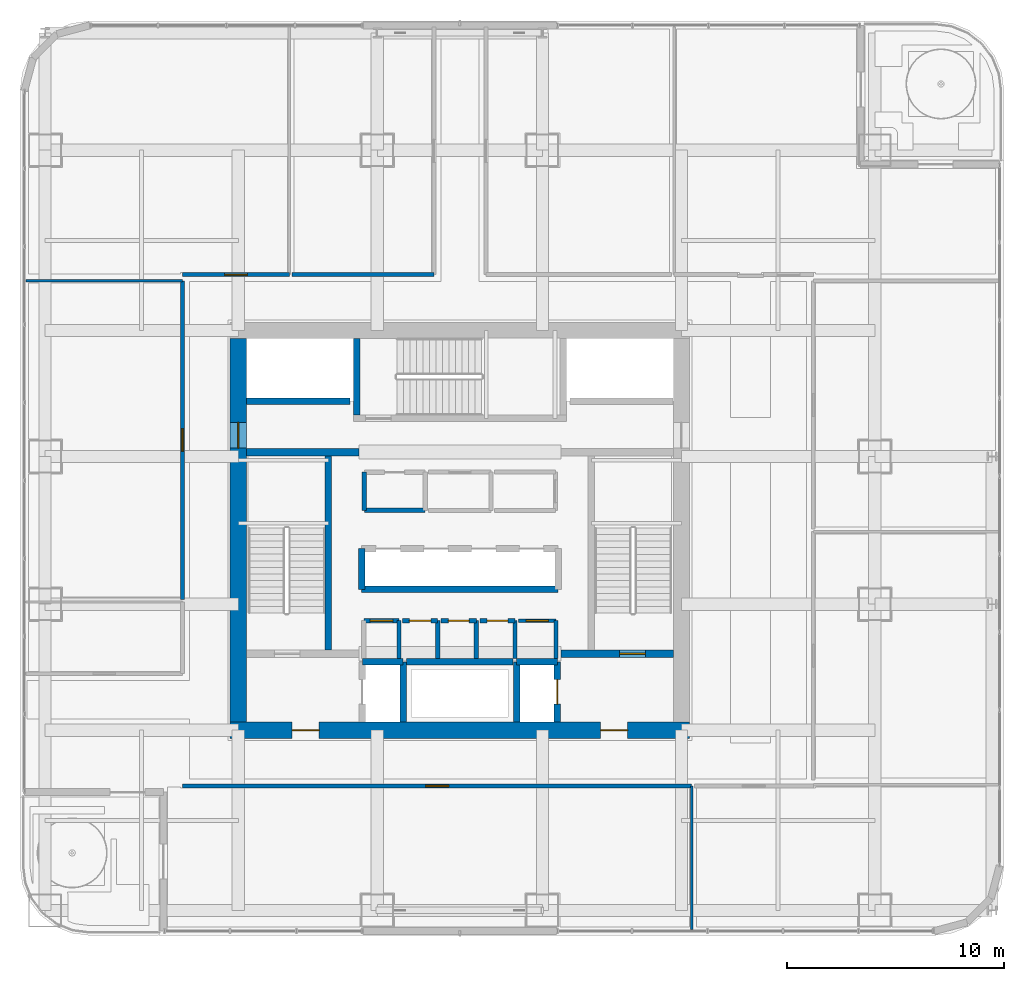
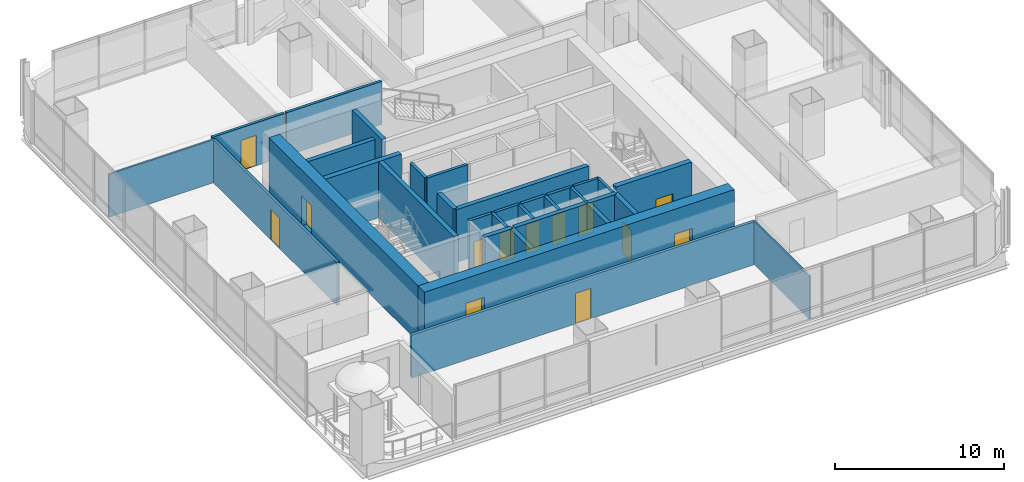
# One storey, part 26 of 37: 33 walls, 13 doors, 13 openings.
"""IFC4 building model written with IfcOpenShell, lengths in metres."""

from ifc_helpers import new_model, si_unit, direction, frame, frame_2d, origin, place, context, subcontext, project, spatial, rectangle, extrude, material, layer, layer_set, type_object, element, fill, save


model = new_model("IFC4")

# Units and contexts
model_context = context("Model", 3, precision=1e-05, world=origin(), true_north=direction((0.0, 1.0)))
body_context = subcontext(model_context, "Body", "Model", "MODEL_VIEW")
ifc_project = project(units=[si_unit("LENGTHUNIT", "METRE"), si_unit("AREAUNIT", "SQUARE_METRE"), si_unit("VOLUMEUNIT", "CUBIC_METRE"), si_unit("PLANEANGLEUNIT", "RADIAN"), si_unit("MASSUNIT", "GRAM", prefix="KILO")], contexts=[model_context])

# Site, building, storey
site_placement = place(None, origin())
site = spatial("IfcSite", under=ifc_project, at=site_placement, CompositionType="ELEMENT")
building_placement = place(site_placement, origin())
building = spatial("IfcBuilding", under=site, at=building_placement, Name="Punatoya Terracotta Tower", CompositionType="ELEMENT")
storey_placement = place(building_placement, frame((0.0, 0.0, 109.199951171875)))
storey = spatial("IfcBuildingStorey", under=building, at=storey_placement, Name="L25", CompositionType="ELEMENT", Elevation=109.199951171875)

# Wall, openings, doors
ifc_material_1 = material(Name="Concrete C60/75", Category="concrete")
ifc_layer_1 = layer(ifc_material_1, 0.75)
ifc_layer_set_1 = layer_set([ifc_layer_1], Name="Concrete C60/75")
wall_type_1 = type_object("IfcWallType", Name="WL-COR-750", PredefinedType="SHEAR", material=ifc_layer_set_1)
wall_1_placement = place(storey_placement, frame((10.574951171875, -9.199951171875, 0.0), z_axis=(0.0, 0.0, 1.0), x_axis=(-1.0, 0.0, 0.0)))
wall_1 = element("IfcWall", 1, at=wall_1_placement, inside=storey, type_object=wall_type_1, Name="L25 Core Shear Wall S", PredefinedType="SHEAR", context=body_context, shape_type="SweptSolid", body=[
    extrude(rectangle(XDim=21.14990234375, YDim=0.75, at=frame_2d((10.574951171875, 0.0))), origin(), (0.0, 0.0, 1.0), 4.050048828125),
])
opening_1_placement = place(wall_1_placement, frame((2.85009765625, 0.0, 0.0)))
opening_1 = element("IfcOpeningElement", 2, at=opening_1_placement, cuts=wall_1, Name="Opening FD-L1", PredefinedType="OPENING", context=body_context, shape_type="SweptSolid", body=[
    extrude(rectangle(XDim=1.25, YDim=2.25, at=frame_2d((0.625, 1.125))), frame((0.0, 0.385009765625, 0.0), z_axis=(0.0, -1.0, 0.0), x_axis=(1.0, 0.0, 0.0)), (0.0, 0.0, 1.0), 0.77001953125),
])
opening_2_placement = place(wall_1_placement, frame((17.050048828125, 0.0, 0.0)))
opening_2 = element("IfcOpeningElement", 3, at=opening_2_placement, cuts=wall_1, Name="Opening FD-L1", PredefinedType="OPENING", context=body_context, shape_type="SweptSolid", body=[
    extrude(rectangle(XDim=1.25, YDim=2.25, at=frame_2d((0.625, 1.125))), frame((0.0, 0.385009765625, 0.0), z_axis=(0.0, -1.0, 0.0), x_axis=(1.0, 0.0, 0.0)), (0.0, 0.0, 1.0), 0.77001953125),
])
ifc_material_2 = material(Name="Galvanised Steel Smokeproof Fire Door", Category="steel")
door_type_1 = type_object("IfcDoorType", Name="DR-FFL-1250", OperationType="NOTDEFINED", PredefinedType="DOOR", material=ifc_material_2)
door_1_placement = place(opening_1_placement, origin())
door_1 = element("IfcDoor", 4, at=door_1_placement, inside=storey, type_object=door_type_1, Name="L25 East Firefighting Lobby Corridor Fire Door", OperationType="SINGLE_SWING_LEFT", OverallHeight=2.25, OverallWidth=1.25, PredefinedType="DOOR", context=body_context, shape_type="SweptSolid", body=[
    extrude(rectangle(XDim=1.25, YDim=2.25, at=frame_2d((0.625, 1.125))), frame((0.0, 0.02490234375, 0.0), z_axis=(0.0, -1.0, 0.0), x_axis=(1.0, 0.0, 0.0)), (0.0, 0.0, 1.0), 0.050048828125),
])
fill(opening_1, door_1)
door_2_placement = place(opening_2_placement, origin())
door_2 = element("IfcDoor", 5, at=door_2_placement, inside=storey, type_object=door_type_1, Name="L25 West Firefighting Lobby Corridor Fire Door", OperationType="SINGLE_SWING_RIGHT", OverallHeight=2.25, OverallWidth=1.25, PredefinedType="DOOR", context=body_context, shape_type="SweptSolid", body=[
    extrude(rectangle(XDim=1.25, YDim=2.25, at=frame_2d((0.625, 1.125))), frame((0.0, 0.02490234375, 0.0), z_axis=(0.0, -1.0, 0.0), x_axis=(1.0, 0.0, 0.0)), (0.0, 0.0, 1.0), 0.050048828125),
])
fill(opening_2, door_2)

# Wall, opening, door
wall_2_placement = place(storey_placement, frame((-10.199951171875, -8.824951171875, 0.0), z_axis=(0.0, 0.0, 1.0), x_axis=(0.0, 1.0, 0.0)))
wall_2 = element("IfcWall", 6, at=wall_2_placement, inside=storey, type_object=wall_type_1, Name="L25 Core Shear Wall W", PredefinedType="SHEAR", context=body_context, shape_type="SweptSolid", body=[
    extrude(rectangle(XDim=17.64990234375, YDim=0.75, at=frame_2d((8.824951171875, 0.0))), origin(), (0.0, 0.0, 1.0), 4.050048828125),
])
opening_3_placement = place(wall_2_placement, frame((12.614990234375, 0.0, 0.0)))
opening_3 = element("IfcOpeningElement", 7, at=opening_3_placement, cuts=wall_2, Name="Opening SD-01", PredefinedType="OPENING", context=body_context, shape_type="SweptSolid", body=[
    extrude(rectangle(XDim=1.179931640625, YDim=2.199951171875, at=frame_2d((0.58984375, 1.10009765625))), frame((0.0, 0.385009765625, 0.0), z_axis=(0.0, -1.0, 0.0), x_axis=(1.0, 0.0, 0.0)), (0.0, 0.0, 1.0), 0.77001953125),
])
ifc_material_3 = material(Name="Galvanised Steel Pressurized Stair Fire Door", Category="steel")
door_type_2 = type_object("IfcDoorType", Name="DR-STR-1180", OperationType="NOTDEFINED", PredefinedType="DOOR", material=ifc_material_3)
door_3_placement = place(opening_3_placement, origin())
door_3 = element("IfcDoor", 8, at=door_3_placement, inside=storey, type_object=door_type_2, Name="L25 Central Lift Lobby West Fire Door", OperationType="SINGLE_SWING_LEFT", OverallHeight=2.199951171875, OverallWidth=1.179931640625, PredefinedType="DOOR", context=body_context, shape_type="SweptSolid", body=[
    extrude(rectangle(XDim=1.179931640625, YDim=2.199951171875, at=frame_2d((0.58984375, 1.10009765625))), frame((0.0, 0.02490234375, 0.0), z_axis=(0.0, -1.0, 0.0), x_axis=(1.0, 0.0, 0.0)), (0.0, 0.0, 1.0), 0.050048828125),
])
fill(opening_3, door_3)

# Wall
ifc_material_4 = material(Name="Gypsum Fireboard + Steel Stud", Category="steel")
ifc_layer_2 = layer(ifc_material_4, 0.179931640625)
ifc_layer_set_2 = layer_set([ifc_layer_2], Name="Gypsum Fireboard + Steel Stud")
wall_type_2 = type_object("IfcWallType", Name="WL-CORR-180", PredefinedType="PARTITIONING", material=ifc_layer_set_2)
wall_3_placement = place(storey_placement, frame((4.419921875, -5.89990234375, 0.0), z_axis=(0.0, 0.0, 1.0), x_axis=(0.0, 1.0, 0.0)))
element("IfcWall", 9, at=wall_3_placement, inside=storey, type_object=wall_type_2, Name="L25 Core Focus Booth Partition 10", PredefinedType="PARTITIONING", context=body_context, shape_type="SweptSolid", body=[
    extrude(rectangle(XDim=1.739990234375, YDim=0.179931640625, at=frame_2d((0.8701171875, 0.0))), origin(), (0.0, 0.0, 1.0), 3.81005859375),
])

# Wall, opening, door
wall_4_placement = place(storey_placement, frame((4.419921875, -4.159912109375, 0.0), z_axis=(0.0, 0.0, 1.0), x_axis=(-1.0, 0.0, 0.0)))
wall_4 = element("IfcWall", 10, at=wall_4_placement, inside=storey, type_object=wall_type_2, Name="L25 Core Focus Booth Partition 11", PredefinedType="PARTITIONING", context=body_context, shape_type="SweptSolid", body=[
    extrude(rectangle(XDim=1.719970703125, YDim=0.179931640625, at=frame_2d((0.85986328125, 0.0))), origin(), (0.0, 0.0, 1.0), 3.81005859375),
])
opening_4_placement = place(wall_4_placement, frame((0.35009765625, 0.0, 0.0)))
opening_4 = element("IfcOpeningElement", 11, at=opening_4_placement, cuts=wall_4, Name="Opening MD-01", PredefinedType="OPENING", context=body_context, shape_type="SweptSolid", body=[
    extrude(rectangle(XDim=1.02001953125, YDim=2.199951171875, at=frame_2d((0.510009765625, 1.10009765625))), frame((0.0, 0.099853515625, 0.0), z_axis=(0.0, -1.0, 0.0), x_axis=(1.0, 0.0, 0.0)), (0.0, 0.0, 1.0), 0.199951171875),
])
ifc_material_5 = material(Name="Aluminium + Acoustic Glass Leaf", Category="aluminium")
door_type_3 = type_object("IfcDoorType", Name="DR-MTG-1020", OperationType="NOTDEFINED", PredefinedType="DOOR", material=ifc_material_5)
door_4_placement = place(opening_4_placement, origin())
door_4 = element("IfcDoor", 12, at=door_4_placement, inside=storey, type_object=door_type_3, Name="L25 Focus Booth Door", OperationType="SINGLE_SWING_RIGHT", OverallHeight=2.199951171875, OverallWidth=1.02001953125, PredefinedType="DOOR", context=body_context, shape_type="SweptSolid", body=[
    extrude(rectangle(XDim=1.02001953125, YDim=2.199951171875, at=frame_2d((0.510009765625, 1.10009765625))), frame((0.0, 0.02490234375, 0.0), z_axis=(0.0, -1.0, 0.0), x_axis=(1.0, 0.0, 0.0)), (0.0, 0.0, 1.0), 0.050048828125),
])
fill(opening_4, door_4)

wall_5_placement = place(storey_placement, frame((-12.77001953125, -11.77001953125, 0.0), z_axis=(0.0, 0.0, 1.0), x_axis=(1.0, 0.0, 0.0)))
wall_5 = element("IfcWall", 13, at=wall_5_placement, inside=storey, type_object=wall_type_2, Name="L25 Open Workplace Studio Partition 22", PredefinedType="PARTITIONING", context=body_context, shape_type="SweptSolid", body=[
    extrude(rectangle(XDim=23.444091796875, YDim=0.179931640625, at=frame_2d((11.72216796875, 0.0))), origin(), (0.0, 0.0, 1.0), 3.10400390625),
])
opening_5_placement = place(wall_5_placement, frame((11.197021484375, 0.0, 0.0)))
opening_5 = element("IfcOpeningElement", 14, at=opening_5_placement, cuts=wall_5, Name="Opening OD-01", PredefinedType="OPENING", context=body_context, shape_type="SweptSolid", body=[
    extrude(rectangle(XDim=1.050048828125, YDim=2.199951171875, at=frame_2d((0.52490234375, 1.10009765625))), frame((0.0, 0.099853515625, 0.0), z_axis=(0.0, -1.0, 0.0), x_axis=(1.0, 0.0, 0.0)), (0.0, 0.0, 1.0), 0.199951171875),
])
ifc_material_6 = material(Name="Bengal Teak Solid-Core Leaf")
door_type_4 = type_object("IfcDoorType", Name="DR-OFF-1050", OperationType="NOTDEFINED", PredefinedType="DOOR", material=ifc_material_6)
door_5_placement = place(opening_5_placement, origin())
door_5 = element("IfcDoor", 15, at=door_5_placement, inside=storey, type_object=door_type_4, Name="L25 Open Workplace Studio Door", OperationType="SINGLE_SWING_RIGHT", OverallHeight=2.199951171875, OverallWidth=1.050048828125, PredefinedType="DOOR", context=body_context, shape_type="SweptSolid", body=[
    extrude(rectangle(XDim=1.050048828125, YDim=2.199951171875, at=frame_2d((0.52490234375, 1.10009765625))), frame((0.0, 0.02490234375, 0.0), z_axis=(0.0, -1.0, 0.0), x_axis=(1.0, 0.0, 0.0)), (0.0, 0.0, 1.0), 0.050048828125),
])
fill(opening_5, door_5)

wall_6_placement = place(storey_placement, frame((-12.77001953125, 11.489990234375, 0.0), z_axis=(0.0, 0.0, 1.0), x_axis=(0.0, -1.0, 0.0)))
wall_6 = element("IfcWall", 16, at=wall_6_placement, inside=storey, type_object=wall_type_2, Name="L25 Open-Plan Digital Reference Library Partition 32", PredefinedType="PARTITIONING", context=body_context, shape_type="SweptSolid", body=[
    extrude(rectangle(XDim=14.6640625, YDim=0.179931640625, at=frame_2d((7.33203125, 0.0))), origin(), (0.0, 0.0, 1.0), 3.10400390625),
])
opening_6_placement = place(wall_6_placement, frame((6.806884765625, 0.0, 0.0)))
opening_6 = element("IfcOpeningElement", 17, at=opening_6_placement, cuts=wall_6, Name="Opening OD-01", PredefinedType="OPENING", context=body_context, shape_type="SweptSolid", body=[
    extrude(rectangle(XDim=1.050048828125, YDim=2.199951171875, at=frame_2d((0.52490234375, 1.10009765625))), frame((0.0, 0.099853515625, 0.0), z_axis=(0.0, -1.0, 0.0), x_axis=(1.0, 0.0, 0.0)), (0.0, 0.0, 1.0), 0.199951171875),
])
door_6_placement = place(opening_6_placement, origin())
door_6 = element("IfcDoor", 18, at=door_6_placement, inside=storey, type_object=door_type_4, Name="L25 Open-Plan Digital Reference Library Door", OperationType="SINGLE_SWING_RIGHT", OverallHeight=2.199951171875, OverallWidth=1.050048828125, PredefinedType="DOOR", context=body_context, shape_type="SweptSolid", body=[
    extrude(rectangle(XDim=1.050048828125, YDim=2.199951171875, at=frame_2d((0.52490234375, 1.10009765625))), frame((0.0, 0.02490234375, 0.0), z_axis=(0.0, -1.0, 0.0), x_axis=(1.0, 0.0, 0.0)), (0.0, 0.0, 1.0), 0.050048828125),
])
fill(opening_6, door_6)

wall_7_placement = place(storey_placement, frame((-7.845947265625, 11.77001953125, 0.0), z_axis=(0.0, 0.0, 1.0), x_axis=(-1.0, 0.0, 0.0)))
wall_7 = element("IfcWall", 19, at=wall_7_placement, inside=storey, type_object=wall_type_2, Name="L25 Open-Plan Systems Engineering Office Partition 40", PredefinedType="PARTITIONING", context=body_context, shape_type="SweptSolid", body=[
    extrude(rectangle(XDim=4.924072265625, YDim=0.179931640625, at=frame_2d((2.4619140625, 0.0))), origin(), (0.0, 0.0, 1.0), 3.10400390625),
])
opening_7_placement = place(wall_7_placement, frame((1.93701171875, 0.0, 0.0)))
opening_7 = element("IfcOpeningElement", 20, at=opening_7_placement, cuts=wall_7, Name="Opening OD-01", PredefinedType="OPENING", context=body_context, shape_type="SweptSolid", body=[
    extrude(rectangle(XDim=1.050048828125, YDim=2.199951171875, at=frame_2d((0.52490234375, 1.10009765625))), frame((0.0, 0.099853515625, 0.0), z_axis=(0.0, -1.0, 0.0), x_axis=(1.0, 0.0, 0.0)), (0.0, 0.0, 1.0), 0.199951171875),
])
door_7_placement = place(opening_7_placement, origin())
door_7 = element("IfcDoor", 21, at=door_7_placement, inside=storey, type_object=door_type_4, Name="L25 Open-Plan Systems Engineering Office Door", OperationType="SINGLE_SWING_LEFT", OverallHeight=2.199951171875, OverallWidth=1.050048828125, PredefinedType="DOOR", context=body_context, shape_type="SweptSolid", body=[
    extrude(rectangle(XDim=1.050048828125, YDim=2.199951171875, at=frame_2d((0.52490234375, 1.10009765625))), frame((0.0, 0.02490234375, 0.0), z_axis=(0.0, -1.0, 0.0), x_axis=(1.0, 0.0, 0.0)), (0.0, 0.0, 1.0), 0.050048828125),
])
fill(opening_7, door_7)

# Walls
wall_8_placement = place(storey_placement, frame((-1.199951171875, 11.77001953125, 0.0), z_axis=(0.0, 0.0, 1.0), x_axis=(-1.0, 0.0, 0.0)))
element("IfcWall", 22, at=wall_8_placement, inside=storey, type_object=wall_type_2, Name="L25 Open-Plan Quantitative Practice Office Partition 42", PredefinedType="PARTITIONING", context=body_context, shape_type="SweptSolid", body=[
    extrude(rectangle(XDim=6.526123046875, YDim=0.179931640625, at=frame_2d((3.26318359375, 0.0))), origin(), (0.0, 0.0, 1.0), 3.10400390625),
])
ifc_material_7 = material(Name="Concrete C40/50", Category="concrete")
ifc_layer_3 = layer(ifc_material_7, 0.199951171875)
ifc_layer_set_3 = layer_set([ifc_layer_3], Name="Concrete C40/50")
wall_type_3 = type_object("IfcWallType", Name="WL-INT-200", PredefinedType="SOLIDWALL", material=ifc_layer_set_3)
wall_9_placement = place(storey_placement, frame((-2.800048828125, -5.89990234375, 0.0), z_axis=(0.0, 0.0, 1.0), x_axis=(0.0, 1.0, 0.0)))
element("IfcWall", 23, at=wall_9_placement, inside=storey, type_object=wall_type_3, Name="L25 Core Tea Pantry Partition 01", PredefinedType="SOLIDWALL", context=body_context, shape_type="SweptSolid", body=[
    extrude(rectangle(XDim=1.739990234375, YDim=0.199951171875, at=frame_2d((0.8701171875, 0.0))), origin(), (0.0, 0.0, 1.0), 3.81005859375),
])

# Wall, opening, door
wall_10_placement = place(storey_placement, frame((-2.800048828125, -4.159912109375, 0.0), z_axis=(0.0, 0.0, 1.0), x_axis=(-1.0, 0.0, 0.0)))
wall_10 = element("IfcWall", 24, at=wall_10_placement, inside=storey, type_object=wall_type_3, Name="L25 Core Tea Pantry Partition 02", PredefinedType="SOLIDWALL", context=body_context, shape_type="SweptSolid", body=[
    extrude(rectangle(XDim=1.619873046875, YDim=0.199951171875, at=frame_2d((0.81005859375, 0.0))), origin(), (0.0, 0.0, 1.0), 3.81005859375),
])
opening_8_placement = place(wall_10_placement, frame((0.284912109375, 0.0, 0.0)))
opening_8 = element("IfcOpeningElement", 25, at=opening_8_placement, cuts=wall_10, Name="Opening OD-01", PredefinedType="OPENING", context=body_context, shape_type="SweptSolid", body=[
    extrude(rectangle(XDim=1.050048828125, YDim=2.199951171875, at=frame_2d((0.52490234375, 1.10009765625))), frame((0.0, 0.10986328125, 0.0), z_axis=(0.0, -1.0, 0.0), x_axis=(1.0, 0.0, 0.0)), (0.0, 0.0, 1.0), 0.219970703125),
])
door_8_placement = place(opening_8_placement, origin())
door_8 = element("IfcDoor", 26, at=door_8_placement, inside=storey, type_object=door_type_4, Name="L25 Tea Pantry Door", OperationType="SINGLE_SWING_RIGHT", OverallHeight=2.199951171875, OverallWidth=1.050048828125, PredefinedType="DOOR", context=body_context, shape_type="SweptSolid", body=[
    extrude(rectangle(XDim=1.050048828125, YDim=2.199951171875, at=frame_2d((0.52490234375, 1.10009765625))), frame((0.0, 0.02490234375, 0.0), z_axis=(0.0, -1.0, 0.0), x_axis=(1.0, 0.0, 0.0)), (0.0, 0.0, 1.0), 0.050048828125),
])
fill(opening_8, door_8)

# Wall
wall_11_placement = place(storey_placement, frame((-1.02001953125, -5.89990234375, 0.0), z_axis=(0.0, 0.0, 1.0), x_axis=(0.0, 1.0, 0.0)))
element("IfcWall", 27, at=wall_11_placement, inside=storey, type_object=wall_type_3, Name="L25 Accessible Washroom Partition 04", PredefinedType="SOLIDWALL", context=body_context, shape_type="SweptSolid", body=[
    extrude(rectangle(XDim=1.739990234375, YDim=0.199951171875, at=frame_2d((0.8701171875, 0.0))), origin(), (0.0, 0.0, 1.0), 3.81005859375),
])

# Wall, opening, door
wall_12_placement = place(storey_placement, frame((-1.02001953125, -4.159912109375, 0.0), z_axis=(0.0, 0.0, 1.0), x_axis=(-1.0, 0.0, 0.0)))
wall_12 = element("IfcWall", 28, at=wall_12_placement, inside=storey, type_object=wall_type_3, Name="L25 Accessible Washroom Partition 05", PredefinedType="SOLIDWALL", context=body_context, shape_type="SweptSolid", body=[
    extrude(rectangle(XDim=1.619873046875, YDim=0.199951171875, at=frame_2d((0.81005859375, 0.0))), origin(), (0.0, 0.0, 1.0), 3.81005859375),
])
opening_9_placement = place(wall_12_placement, frame((0.31005859375, 0.0, 0.0)))
opening_9 = element("IfcOpeningElement", 29, at=opening_9_placement, cuts=wall_12, Name="Opening AWD-1", PredefinedType="OPENING", context=body_context, shape_type="SweptSolid", body=[
    extrude(rectangle(XDim=1.0, YDim=2.14990234375, at=frame_2d((0.5, 1.074951171875))), frame((0.0, 0.10986328125, 0.0), z_axis=(0.0, -1.0, 0.0), x_axis=(1.0, 0.0, 0.0)), (0.0, 0.0, 1.0), 0.219970703125),
])
ifc_material_8 = material(Name="Bengal Teak Accessible WC Leaf")
door_type_5 = type_object("IfcDoorType", Name="DR-ACC-1000", OperationType="NOTDEFINED", PredefinedType="DOOR", material=ifc_material_8)
door_9_placement = place(opening_9_placement, origin())
door_9 = element("IfcDoor", 30, at=door_9_placement, inside=storey, type_object=door_type_5, Name="L25 Accessible Washroom Door", OperationType="SINGLE_SWING_LEFT", OverallHeight=2.14990234375, OverallWidth=1.0, PredefinedType="DOOR", context=body_context, shape_type="SweptSolid", body=[
    extrude(rectangle(XDim=1.0, YDim=2.14990234375, at=frame_2d((0.5, 1.074951171875))), frame((0.0, 0.02490234375, 0.0), z_axis=(0.0, -1.0, 0.0), x_axis=(1.0, 0.0, 0.0)), (0.0, 0.0, 1.0), 0.050048828125),
])
fill(opening_9, door_9)

# Wall
wall_13_placement = place(storey_placement, frame((0.760009765625, -5.89990234375, 0.0), z_axis=(0.0, 0.0, 1.0), x_axis=(0.0, 1.0, 0.0)))
element("IfcWall", 31, at=wall_13_placement, inside=storey, type_object=wall_type_3, Name="L25 Female Washroom Partition 06", PredefinedType="SOLIDWALL", context=body_context, shape_type="SweptSolid", body=[
    extrude(rectangle(XDim=1.739990234375, YDim=0.199951171875, at=frame_2d((0.8701171875, 0.0))), origin(), (0.0, 0.0, 1.0), 3.81005859375),
])

# Wall, opening, door
wall_14_placement = place(storey_placement, frame((0.760009765625, -4.159912109375, 0.0), z_axis=(0.0, 0.0, 1.0), x_axis=(-1.0, 0.0, 0.0)))
wall_14 = element("IfcWall", 32, at=wall_14_placement, inside=storey, type_object=wall_type_3, Name="L25 Female Washroom Partition 07", PredefinedType="SOLIDWALL", context=body_context, shape_type="SweptSolid", body=[
    extrude(rectangle(XDim=1.6201171875, YDim=0.199951171875, at=frame_2d((0.81005859375, 0.0))), origin(), (0.0, 0.0, 1.0), 3.81005859375),
])
opening_10_placement = place(wall_14_placement, frame((0.3349609375, 0.0, 0.0)))
opening_10 = element("IfcOpeningElement", 33, at=opening_10_placement, cuts=wall_14, Name="Opening WD-01", PredefinedType="OPENING", context=body_context, shape_type="SweptSolid", body=[
    extrude(rectangle(XDim=0.949951171875, YDim=2.14990234375, at=frame_2d((0.47509765625, 1.074951171875))), frame((0.0, 0.10986328125, 0.0), z_axis=(0.0, -1.0, 0.0), x_axis=(1.0, 0.0, 0.0)), (0.0, 0.0, 1.0), 0.219970703125),
])
ifc_material_9 = material(Name="Moisture-Resistant Laminate Timber Leaf", Category="wood")
door_type_6 = type_object("IfcDoorType", Name="DR-WC-950", OperationType="NOTDEFINED", PredefinedType="DOOR", material=ifc_material_9)
door_10_placement = place(opening_10_placement, origin())
door_10 = element("IfcDoor", 34, at=door_10_placement, inside=storey, type_object=door_type_6, Name="L25 Female Washroom Door", OperationType="SINGLE_SWING_RIGHT", OverallHeight=2.14990234375, OverallWidth=0.949951171875, PredefinedType="DOOR", context=body_context, shape_type="SweptSolid", body=[
    extrude(rectangle(XDim=0.949951171875, YDim=2.14990234375, at=frame_2d((0.47509765625, 1.074951171875))), frame((0.0, 0.02490234375, 0.0), z_axis=(0.0, -1.0, 0.0), x_axis=(1.0, 0.0, 0.0)), (0.0, 0.0, 1.0), 0.050048828125),
])
fill(opening_10, door_10)

# Wall
wall_15_placement = place(storey_placement, frame((2.5400390625, -5.89990234375, 0.0), z_axis=(0.0, 0.0, 1.0), x_axis=(0.0, 1.0, 0.0)))
element("IfcWall", 35, at=wall_15_placement, inside=storey, type_object=wall_type_3, Name="L25 Male Washroom Partition 08", PredefinedType="SOLIDWALL", context=body_context, shape_type="SweptSolid", body=[
    extrude(rectangle(XDim=1.739990234375, YDim=0.199951171875, at=frame_2d((0.8701171875, 0.0))), origin(), (0.0, 0.0, 1.0), 3.81005859375),
])

# Wall, opening, door
wall_16_placement = place(storey_placement, frame((2.5400390625, -4.159912109375, 0.0), z_axis=(0.0, 0.0, 1.0), x_axis=(-1.0, 0.0, 0.0)))
wall_16 = element("IfcWall", 36, at=wall_16_placement, inside=storey, type_object=wall_type_3, Name="L25 Male Washroom Partition 09", PredefinedType="SOLIDWALL", context=body_context, shape_type="SweptSolid", body=[
    extrude(rectangle(XDim=1.6201171875, YDim=0.199951171875, at=frame_2d((0.81005859375, 0.0))), origin(), (0.0, 0.0, 1.0), 3.81005859375),
])
opening_11_placement = place(wall_16_placement, frame((0.3349609375, 0.0, 0.0)))
opening_11 = element("IfcOpeningElement", 37, at=opening_11_placement, cuts=wall_16, Name="Opening WD-01", PredefinedType="OPENING", context=body_context, shape_type="SweptSolid", body=[
    extrude(rectangle(XDim=0.949951171875, YDim=2.14990234375, at=frame_2d((0.47509765625, 1.074951171875))), frame((0.0, 0.10986328125, 0.0), z_axis=(0.0, -1.0, 0.0), x_axis=(1.0, 0.0, 0.0)), (0.0, 0.0, 1.0), 0.219970703125),
])
door_11_placement = place(opening_11_placement, origin())
door_11 = element("IfcDoor", 38, at=door_11_placement, inside=storey, type_object=door_type_6, Name="L25 Male Washroom Door", OperationType="SINGLE_SWING_LEFT", OverallHeight=2.14990234375, OverallWidth=0.949951171875, PredefinedType="DOOR", context=body_context, shape_type="SweptSolid", body=[
    extrude(rectangle(XDim=0.949951171875, YDim=2.14990234375, at=frame_2d((0.47509765625, 1.074951171875))), frame((0.0, 0.02490234375, 0.0), z_axis=(0.0, -1.0, 0.0), x_axis=(1.0, 0.0, 0.0)), (0.0, 0.0, 1.0), 0.050048828125),
])
fill(opening_11, door_11)

# Walls
wall_17_placement = place(storey_placement, frame((-4.39990234375, 2.679931640625, 0.0), z_axis=(0.0, 0.0, 1.0), x_axis=(0.0, -1.0, 0.0)))
element("IfcWall", 39, at=wall_17_placement, inside=storey, type_object=wall_type_3, Name="L25 Left Core Store Partition 14", PredefinedType="SOLIDWALL", context=body_context, shape_type="SweptSolid", body=[
    extrude(rectangle(XDim=1.760009765625, YDim=0.199951171875, at=frame_2d((0.8798828125, 0.0))), origin(), (0.0, 0.0, 1.0), 3.81005859375),
])
wall_18_placement = place(storey_placement, frame((-4.39990234375, 0.919921875, 0.0), z_axis=(0.0, 0.0, 1.0), x_axis=(1.0, 0.0, 0.0)))
element("IfcWall", 40, at=wall_18_placement, inside=storey, type_object=wall_type_3, Name="L25 Left Core Store Partition 15", PredefinedType="SOLIDWALL", context=body_context, shape_type="SweptSolid", body=[
    extrude(rectangle(XDim=2.7998046875, YDim=0.199951171875, at=frame_2d((1.39990234375, 0.0))), origin(), (0.0, 0.0, 1.0), 3.81005859375),
])
ifc_material_10 = material(Name="Gypsum Partition + Steel Stud", Category="steel")
ifc_layer_4 = layer(ifc_material_10, 0.1201171875)
ifc_layer_set_4 = layer_set([ifc_layer_4], Name="Gypsum Partition + Steel Stud")
wall_type_4 = type_object("IfcWallType", Name="WL-OFF-120", PredefinedType="PARTITIONING", material=ifc_layer_set_4)
wall_19_placement = place(storey_placement, frame((10.674072265625, -11.77001953125, 0.0), z_axis=(0.0, 0.0, 1.0), x_axis=(0.0, -1.0, 0.0)))
element("IfcWall", 41, at=wall_19_placement, inside=storey, type_object=wall_type_4, Name="L25 Open Workplace Studio Partition 23", PredefinedType="PARTITIONING", context=body_context, shape_type="SweptSolid", body=[
    extrude(rectangle(XDim=6.60009765625, YDim=0.1201171875, at=frame_2d((3.300048828125, 0.0))), origin(), (0.0, 0.0, 1.0), 3.10400390625),
])
wall_20_placement = place(storey_placement, frame((-19.969970703125, 11.489990234375, 0.0), z_axis=(0.0, 0.0, 1.0), x_axis=(1.0, 0.0, 0.0)))
element("IfcWall", 42, at=wall_20_placement, inside=storey, type_object=wall_type_4, Name="L25 Open-Plan Digital Reference Library Partition 31", PredefinedType="PARTITIONING", context=body_context, shape_type="SweptSolid", body=[
    extrude(rectangle(XDim=7.199951171875, YDim=0.1201171875, at=frame_2d((3.60009765625, 0.0))), origin(), (0.0, 0.0, 1.0), 3.10400390625),
])
ifc_layer_5 = layer(ifc_material_7, 0.300048828125)
ifc_layer_set_5 = layer_set([ifc_layer_5], Name="Concrete C40/50")
wall_type_5 = type_object("IfcWallType", Name="WL-SHF-300", PredefinedType="SOLIDWALL", material=ifc_layer_set_5)
wall_21_placement = place(storey_placement, frame((-6.050048828125, -5.5, 0.0), z_axis=(0.0, 0.0, 1.0), x_axis=(0.0, 1.0, 0.0)))
element("IfcWall", 43, at=wall_21_placement, inside=storey, type_object=wall_type_5, Name="L25 Structural Stair Shaft Wall SW-ST1-E", PredefinedType="SOLIDWALL", context=body_context, shape_type="SweptSolid", body=[
    extrude(rectangle(XDim=8.949951171875, YDim=0.300048828125, at=frame_2d((4.47509765625, 0.0))), origin(), (0.0, 0.0, 1.0), 4.050048828125),
])
wall_22_placement = place(storey_placement, frame((-4.75, 5.300048828125, 0.0), z_axis=(0.0, 0.0, 1.0), x_axis=(0.0, 1.0, 0.0)))
element("IfcWall", 44, at=wall_22_placement, inside=storey, type_object=wall_type_5, Name="L25 Structural Stair Shaft Wall SW-ST3-W", PredefinedType="SOLIDWALL", context=body_context, shape_type="SweptSolid", body=[
    extrude(rectangle(XDim=3.52490234375, YDim=0.300048828125, at=frame_2d((1.762451171875, 0.0))), origin(), (0.0, 0.0, 1.0), 4.050048828125),
])
wall_23_placement = place(storey_placement, frame((-2.610107421875, -8.820068359375, 0.0), z_axis=(0.0, 0.0, 1.0), x_axis=(0.0, 1.0, 0.0)))
element("IfcWall", 45, at=wall_23_placement, inside=storey, type_object=wall_type_5, Name="L25 FFL-1 Rear Hoistway Wall", PredefinedType="SOLIDWALL", context=body_context, shape_type="SweptSolid", body=[
    extrude(rectangle(XDim=2.77001953125, YDim=0.300048828125, at=frame_2d((1.385009765625, 0.0))), origin(), (0.0, 0.0, 1.0), 3.81005859375),
])
wall_24_placement = place(storey_placement, frame((-4.489990234375, -6.050048828125, 0.0), z_axis=(0.0, 0.0, 1.0), x_axis=(1.0, 0.0, 0.0)))
element("IfcWall", 46, at=wall_24_placement, inside=storey, type_object=wall_type_5, Name="L25 FFL-1 North Hoistway Wall", PredefinedType="SOLIDWALL", context=body_context, shape_type="SweptSolid", body=[
    extrude(rectangle(XDim=1.8798828125, YDim=0.300048828125, at=frame_2d((0.93994140625, 0.0))), origin(), (0.0, 0.0, 1.0), 3.81005859375),
])

# Wall, opening, door
wall_25_placement = place(storey_placement, frame((4.489990234375, -8.820068359375, 0.0), z_axis=(0.0, 0.0, 1.0), x_axis=(0.0, 1.0, 0.0)))
wall_25 = element("IfcWall", 47, at=wall_25_placement, inside=storey, type_object=wall_type_5, Name="L25 FFL-2 Front Hoistway Wall", PredefinedType="SOLIDWALL", context=body_context, shape_type="SweptSolid", body=[
    extrude(rectangle(XDim=2.77001953125, YDim=0.300048828125, at=frame_2d((1.385009765625, 0.0))), origin(), (0.0, 0.0, 1.0), 3.81005859375),
])
opening_12_placement = place(wall_25_placement, frame((0.824951171875, 0.0, 0.0)))
opening_12 = element("IfcOpeningElement", 48, at=opening_12_placement, cuts=wall_25, Name="Opening LD-02", PredefinedType="OPENING", context=body_context, shape_type="SweptSolid", body=[
    extrude(rectangle(XDim=1.1201171875, YDim=2.25, at=frame_2d((0.56005859375, 1.125))), frame((0.0, 0.159912109375, 0.0), z_axis=(0.0, -1.0, 0.0), x_axis=(1.0, 0.0, 0.0)), (0.0, 0.0, 1.0), 0.320068359375),
])
ifc_material_11 = material(Name="Stainless Steel Lift Landing Door", Category="steel")
door_type_7 = type_object("IfcDoorType", Name="DR-LND-1120", OperationType="NOTDEFINED", PredefinedType="DOOR", material=ifc_material_11)
door_12_placement = place(opening_12_placement, origin())
door_12 = element("IfcDoor", 49, at=door_12_placement, inside=storey, type_object=door_type_7, Name="L25 Firefighting Lift FFL-2 Sliding Landing Door", OperationType="SLIDING_TO_RIGHT", OverallHeight=2.25, OverallWidth=1.1201171875, PredefinedType="DOOR", context=body_context, shape_type="SweptSolid", body=[
    extrude(rectangle(XDim=1.1201171875, YDim=2.25, at=frame_2d((0.56005859375, 1.125))), frame((0.0, 0.02490234375, 0.0), z_axis=(0.0, -1.0, 0.0), x_axis=(1.0, 0.0, 0.0)), (0.0, 0.0, 1.0), 0.050048828125),
])
fill(opening_12, door_12)

# Walls
wall_26_placement = place(storey_placement, frame((2.610107421875, -8.820068359375, 0.0), z_axis=(0.0, 0.0, 1.0), x_axis=(0.0, 1.0, 0.0)))
element("IfcWall", 50, at=wall_26_placement, inside=storey, type_object=wall_type_5, Name="L25 FFL-2 Rear Hoistway Wall", PredefinedType="SOLIDWALL", context=body_context, shape_type="SweptSolid", body=[
    extrude(rectangle(XDim=2.77001953125, YDim=0.300048828125, at=frame_2d((1.385009765625, 0.0))), origin(), (0.0, 0.0, 1.0), 3.81005859375),
])
wall_27_placement = place(storey_placement, frame((2.610107421875, -6.050048828125, 0.0), z_axis=(0.0, 0.0, 1.0), x_axis=(1.0, 0.0, 0.0)))
element("IfcWall", 51, at=wall_27_placement, inside=storey, type_object=wall_type_5, Name="L25 FFL-2 North Hoistway Wall", PredefinedType="SOLIDWALL", context=body_context, shape_type="SweptSolid", body=[
    extrude(rectangle(XDim=1.8798828125, YDim=0.300048828125, at=frame_2d((0.93994140625, 0.0))), origin(), (0.0, 0.0, 1.0), 3.81005859375),
])
wall_28_placement = place(storey_placement, frame((-4.52001953125, -2.719970703125, 0.0), z_axis=(0.0, 0.0, 1.0), x_axis=(1.0, 0.0, 0.0)))
element("IfcWall", 52, at=wall_28_placement, inside=storey, type_object=wall_type_5, Name="L25 South Lift Bank Rear Shaft Wall", PredefinedType="SOLIDWALL", context=body_context, shape_type="SweptSolid", body=[
    extrude(rectangle(XDim=9.0400390625, YDim=0.300048828125, at=frame_2d((4.52001953125, 0.0))), origin(), (0.0, 0.0, 1.0), 3.81005859375),
])
wall_29_placement = place(storey_placement, frame((-4.52001953125, -2.719970703125, 0.0), z_axis=(0.0, 0.0, 1.0), x_axis=(0.0, 1.0, 0.0)))
element("IfcWall", 53, at=wall_29_placement, inside=storey, type_object=wall_type_5, Name="L25 South Lift Bank West End Wall", PredefinedType="SOLIDWALL", context=body_context, shape_type="SweptSolid", body=[
    extrude(rectangle(XDim=1.8798828125, YDim=0.300048828125, at=frame_2d((0.93994140625, 0.0))), origin(), (0.0, 0.0, 1.0), 3.81005859375),
])
wall_30_placement = place(storey_placement, frame((-9.820068359375, 5.949951171875, 0.0), z_axis=(0.0, 0.0, 1.0), x_axis=(1.0, 0.0, 0.0)))
element("IfcWall", 54, at=wall_30_placement, inside=storey, type_object=wall_type_5, Name="L25 Shuttle SL-1 South Hoistway Wall", PredefinedType="SOLIDWALL", context=body_context, shape_type="SweptSolid", body=[
    extrude(rectangle(XDim=4.760009765625, YDim=0.300048828125, at=frame_2d((2.3798828125, 0.0))), origin(), (0.0, 0.0, 1.0), 3.81005859375),
])
wall_31_placement = place(storey_placement, frame((-2.449951171875, -6.050048828125, 0.0), z_axis=(0.0, 0.0, 1.0), x_axis=(1.0, 0.0, 0.0)))
element("IfcWall", 55, at=wall_31_placement, inside=storey, type_object=wall_type_5, Name="L25 Observation Shuttle Rear Hoistway Wall", PredefinedType="SOLIDWALL", context=body_context, shape_type="SweptSolid", body=[
    extrude(rectangle(XDim=4.89990234375, YDim=0.300048828125, at=frame_2d((2.449951171875, 0.0))), origin(), (0.0, 0.0, 1.0), 3.81005859375),
])

# Wall, opening, door
ifc_material_12 = material(Name="Concrete C50/60", Category="concrete")
ifc_layer_6 = layer(ifc_material_12, 0.35009765625)
ifc_layer_set_6 = layer_set([ifc_layer_6], Name="Concrete C50/60")
wall_type_6 = type_object("IfcWallType", Name="WL-SHF-350", PredefinedType="SOLIDWALL", material=ifc_layer_set_6)
wall_32_placement = place(storey_placement, frame((4.64990234375, -5.679931640625, 0.0), z_axis=(0.0, 0.0, 1.0), x_axis=(1.0, 0.0, 0.0)))
wall_32 = element("IfcWall", 56, at=wall_32_placement, inside=storey, type_object=wall_type_6, Name="L25 Core Web Wall CSW-R", PredefinedType="SOLIDWALL", context=body_context, shape_type="SweptSolid", body=[
    extrude(rectangle(XDim=5.175048828125, YDim=0.35009765625, at=frame_2d((2.58740234375, 0.0))), origin(), (0.0, 0.0, 1.0), 4.050048828125),
])
opening_13_placement = place(wall_32_placement, frame((2.7099609375, 0.0, 0.0)))
opening_13 = element("IfcOpeningElement", 57, at=opening_13_placement, cuts=wall_32, Name="Opening SD-01", PredefinedType="OPENING", context=body_context, shape_type="SweptSolid", body=[
    extrude(rectangle(XDim=1.179931640625, YDim=2.199951171875, at=frame_2d((0.58984375, 1.10009765625))), frame((0.0, 0.18505859375, 0.0), z_axis=(0.0, -1.0, 0.0), x_axis=(1.0, 0.0, 0.0)), (0.0, 0.0, 1.0), 0.3701171875),
])
door_13_placement = place(opening_13_placement, origin())
door_13 = element("IfcDoor", 58, at=door_13_placement, inside=storey, type_object=door_type_2, Name="L25 Stair ST-2 Smokeproof Lobby Fire Door", OperationType="SINGLE_SWING_RIGHT", OverallHeight=2.199951171875, OverallWidth=1.179931640625, PredefinedType="DOOR", context=body_context, shape_type="SweptSolid", body=[
    extrude(rectangle(XDim=1.179931640625, YDim=2.199951171875, at=frame_2d((0.58984375, 1.10009765625))), frame((0.0, 0.02490234375, 0.0), z_axis=(0.0, -1.0, 0.0), x_axis=(1.0, 0.0, 0.0)), (0.0, 0.0, 1.0), 0.050048828125),
])
fill(opening_13, door_13)

# Wall
wall_33_placement = place(storey_placement, frame((-9.824951171875, 3.60009765625, 0.0), z_axis=(0.0, 0.0, 1.0), x_axis=(1.0, 0.0, 0.0)))
element("IfcWall", 59, at=wall_33_placement, inside=storey, type_object=wall_type_6, Name="L25 Core Web Wall CNW-L", PredefinedType="SOLIDWALL", context=body_context, shape_type="SweptSolid", body=[
    extrude(rectangle(XDim=5.175048828125, YDim=0.35009765625, at=frame_2d((2.58740234375, 0.0))), origin(), (0.0, 0.0, 1.0), 4.050048828125),
])

save(model, "model.ifc")
